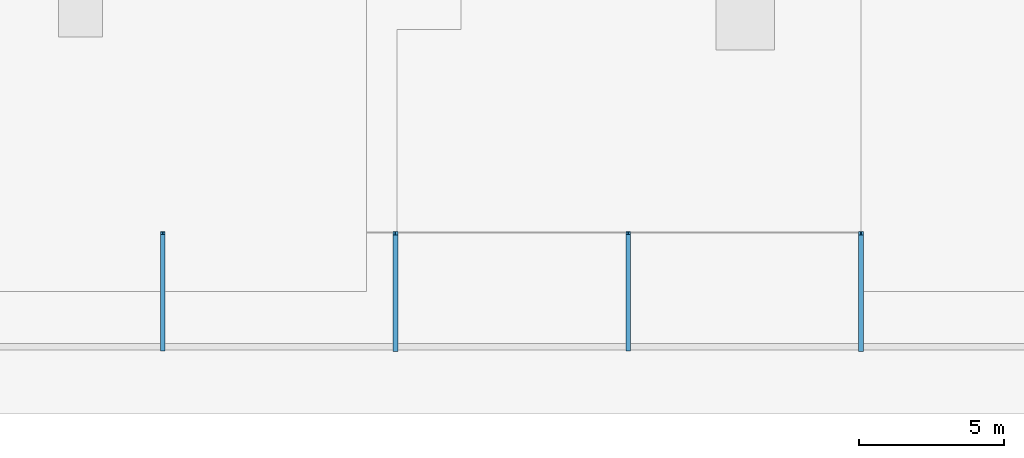
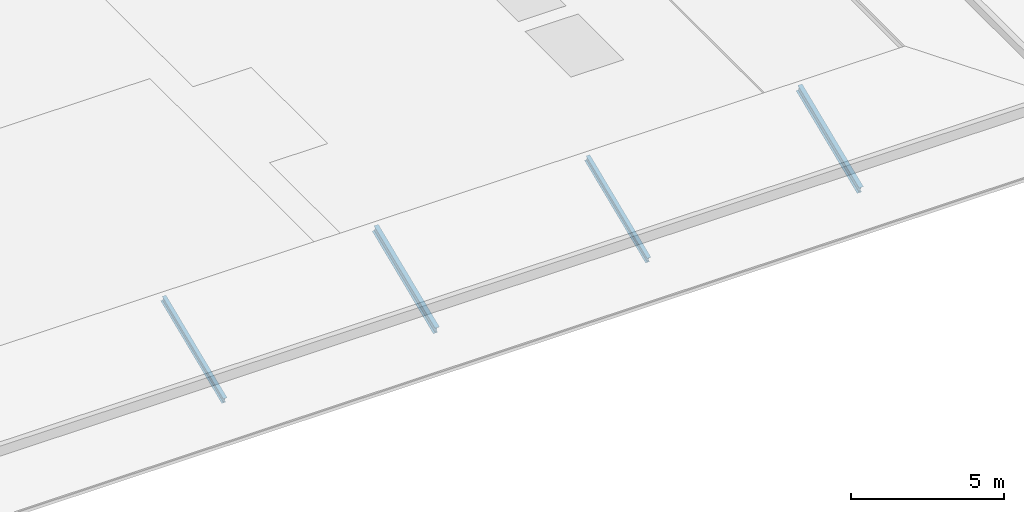
# One storey, part 4 of 98: 4 members.
"""IFC4 building model written with IfcOpenShell, lengths in metres."""

from ifc_helpers import new_model, si_unit, direction, frame, origin, origin_2d, place, context, subcontext, project, spatial, i_section, extrude, material, material_profile, profile_set, type_object, element, save


model = new_model("IFC4")

# Units and contexts
model_context = context("Model", 3, precision=1e-05, world=origin(), true_north=direction((0.0, 1.0)))
body_context = subcontext(model_context, "Body", "Model", "MODEL_VIEW")
ifc_project = project(units=[si_unit("LENGTHUNIT", "METRE"), si_unit("AREAUNIT", "SQUARE_METRE"), si_unit("VOLUMEUNIT", "CUBIC_METRE"), si_unit("PLANEANGLEUNIT", "RADIAN"), si_unit("MASSUNIT", "GRAM", prefix="KILO")], contexts=[model_context])

# Site, building, storey
site_placement = place(None, origin())
site = spatial("IfcSite", under=ifc_project, at=site_placement, CompositionType="ELEMENT")
building_placement = place(site_placement, origin())
building = spatial("IfcBuilding", under=site, at=building_placement, Name="Tlacozan Convention Centre", CompositionType="ELEMENT")
storey_placement = place(building_placement, frame((0.0, 0.0, 25.800048828125)))
storey = spatial("IfcBuildingStorey", under=building, at=storey_placement, Name="Roof", CompositionType="ELEMENT", Elevation=25.800048828125)

# Members
ifc_material = material(Name="Steel ASTM A992 Grade 50", Category="steel")
ifc_material_profile_1 = material_profile(ifc_material, i_section(OverallWidth=0.14697265625, OverallDepth=0.261962890625, WebThickness=0.006591796875, FlangeThickness=0.01123046875, FilletRadius=0.008056640625, at=origin_2d()), Name="IR 254x38.5")
ifc_profile_set_1 = profile_set([ifc_material_profile_1], Name="Steel ASTM A992 Grade 50")
member_type_1 = type_object("IfcMemberType", Name="Prairie Eave Rafter IR 254x38.5", PredefinedType="RAFTER", material=ifc_profile_set_1)
for number, where, z_axis, x_axis, name in (
    (1, (64.0, 0.0, 0.0), (0.0, 0.922810079475, 0.385255184546), (-1.0, 0.0, 0.0), "V1 South Hip Rafter 8"),
    (2, (80.0, 0.0, 0.0), (0.0, 0.922810079475, 0.385255184546), (-1.0, 0.0, 0.0), "V1 South Hip Rafter 10"),
):
    element("IfcMember", number, at=place(storey_placement, frame(where, z_axis=z_axis, x_axis=x_axis)), inside=storey, type_object=member_type_1, Name=name, PredefinedType="RAFTER", context=body_context, shape_type="SweptSolid", body=[
        extrude(i_section(OverallWidth=0.14697265625, OverallDepth=0.261962890625, WebThickness=0.006591796875, FlangeThickness=0.01123046875, FilletRadius=0.008056640625, at=origin_2d()), origin(), (0.0, 0.0, 1.0), 4.33447265625),
    ])
ifc_material_profile_2 = material_profile(ifc_material, i_section(OverallWidth=0.1669921875, OverallDepth=0.31689453125, WebThickness=0.007568359375, FlangeThickness=0.01318359375, FilletRadius=0.010009765625, at=origin_2d()), Name="IR 305x52.2")
ifc_profile_set_2 = profile_set([ifc_material_profile_2], Name="Steel ASTM A992 Grade 50")
member_type_2 = type_object("IfcMemberType", Name="Prairie Hip Rafter IR 305x52.2", PredefinedType="RAFTER", material=ifc_profile_set_2)
for number, where, z_axis, x_axis, name in (
    (3, (72.0, 0.0, 0.0), (0.0, 0.922810079475, 0.385255184546), (-1.0, 0.0, 0.0), "V1 South Hip Rafter 9"),
    (4, (88.0, 0.0, 0.0), (0.0, 0.922810079475, 0.385255184546), (-1.0, 0.0, 0.0), "V1 South Hip Rafter 11"),
):
    element("IfcMember", number, at=place(storey_placement, frame(where, z_axis=z_axis, x_axis=x_axis)), inside=storey, type_object=member_type_2, Name=name, PredefinedType="RAFTER", context=body_context, shape_type="SweptSolid", body=[
        extrude(i_section(OverallWidth=0.1669921875, OverallDepth=0.31689453125, WebThickness=0.007568359375, FlangeThickness=0.01318359375, FilletRadius=0.010009765625, at=origin_2d()), origin(), (0.0, 0.0, 1.0), 4.33447265625),
    ])

save(model, "model.ifc")
